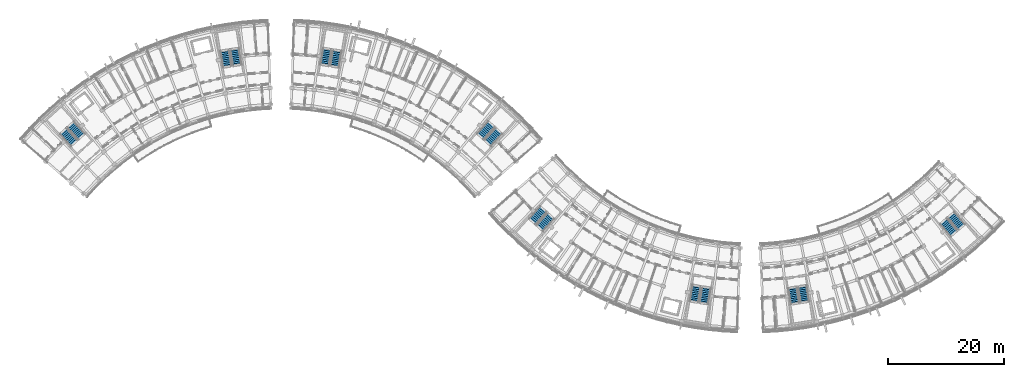
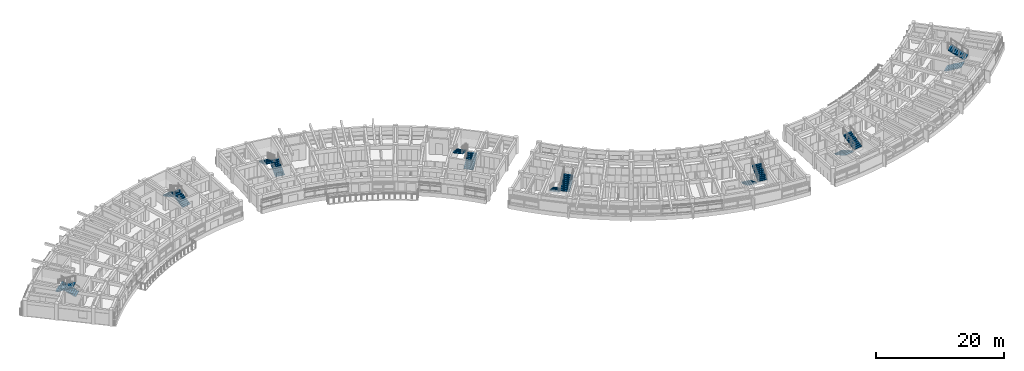
# One storey, part 40 of 56: 16 stair flights, 8 elements without a shape of their own.
"""IFC4 building model written with IfcOpenShell, lengths in metres."""

from ifc_helpers import new_model, si_unit, direction, frame, origin, place, context, subcontext, project, spatial, polyline, outline, extrude, material, type_object, element, aggregate, save


model = new_model("IFC4")

# Units and contexts
model_context = context("Model", 3, precision=1e-05, world=origin(), true_north=direction((0.0, 1.0)))
body_context = subcontext(model_context, "Body", "Model", "MODEL_VIEW")
ifc_project = project(units=[si_unit("LENGTHUNIT", "METRE"), si_unit("AREAUNIT", "SQUARE_METRE"), si_unit("VOLUMEUNIT", "CUBIC_METRE"), si_unit("PLANEANGLEUNIT", "RADIAN"), si_unit("MASSUNIT", "GRAM", prefix="KILO")], contexts=[model_context])

# Site, building, storey
site_placement = place(None, origin())
site = spatial("IfcSite", under=ifc_project, at=site_placement, CompositionType="ELEMENT")
building_placement = place(site_placement, origin())
building = spatial("IfcBuilding", under=site, at=building_placement, Name="Zimvara Arc Housing Community", CompositionType="ELEMENT")
storey_placement = place(building_placement, frame((0.0, 0.0, 17.39990234375)))
storey = spatial("IfcBuildingStorey", under=building, at=storey_placement, Name="L05", CompositionType="ELEMENT", Elevation=17.39990234375)

# Stair, stair flights
ifc_material_1 = material(Name="Concrete C35/45", Category="concrete")
stair_type_1 = type_object("IfcStairType", Name="STR-DL-310-310", PredefinedType="HALF_TURN_STAIR", material=ifc_material_1)
stair_1_placement = place(storey_placement, origin())
stair_1 = element("IfcStair", 1, at=stair_1_placement, inside=storey, type_object=stair_type_1, Name="L05 Block C Exit Stair 2", PredefinedType="HALF_TURN_STAIR")
ifc_material_2 = material(Name="Concrete C35/45", Category="concrete")
stair_flight_type_1 = type_object("IfcStairFlightType", Name="STF-DL-310-310", PredefinedType="STRAIGHT", material=ifc_material_2)
stair_flight_1_placement = place(storey_placement, frame((116.7353515625, 58.27490234375, 0.0), z_axis=(0.0, 0.0, 1.0), x_axis=(-0.160225753504, -0.987080395872, 0.0)))
stair_flight_1 = element("IfcStairFlight", 2, at=stair_flight_1_placement, type_object=stair_flight_type_1, Name="ST-C2 flight 1", NumberOfRisers=10, NumberOfTreads=9, PredefinedType="STRAIGHT", RiserHeight=0.155, TreadLength=0.31, context=body_context, shape_type="SweptSolid", body=[
    extrude(outline(polyline([(0.0, 0.0), (0.0, 0.155029296875), (0.31005859375, 0.155029296875), (0.31005859375, 0.31005859375), (0.6201171875, 0.31005859375), (0.6201171875, 0.465087890625), (0.929931640625, 0.465087890625), (0.929931640625, 0.6201171875), (1.239990234375, 0.6201171875), (1.239990234375, 0.77490234375), (1.550048828125, 0.77490234375), (1.550048828125, 0.929931640625), (1.860107421875, 0.929931640625), (1.860107421875, 1.0849609375), (2.169921875, 1.0849609375), (2.169921875, 1.239990234375), (2.47998046875, 1.239990234375), (2.47998046875, 1.39501953125), (2.7900390625, 1.39501953125), (2.7900390625, 1.550048828125), (2.7900390625, 1.227294921875), (0.335205078125, 0.0), (0.0, 0.0)])), frame((0.0, 0.780029296875, 0.0), z_axis=(0.0, -1.0, 0.0), x_axis=(1.0, 0.0, 0.0)), (0.0, 0.0, 1.0), 1.56005859375),
])
stair_flight_2_placement = place(storey_placement, frame((117.986083984375, 55.2451171875, 1.550048828125), z_axis=(0.0, 0.0, 1.0), x_axis=(0.160225753504, 0.987080395872, 0.0)))
stair_flight_2 = element("IfcStairFlight", 3, at=stair_flight_2_placement, type_object=stair_flight_type_1, Name="ST-C2 flight 2", NumberOfRisers=10, NumberOfTreads=9, PredefinedType="STRAIGHT", RiserHeight=0.155, TreadLength=0.31, context=body_context, shape_type="SweptSolid", body=[
    extrude(outline(polyline([(0.0, 0.0), (0.0, 0.155029296875), (0.31005859375, 0.155029296875), (0.31005859375, 0.31005859375), (0.6201171875, 0.31005859375), (0.6201171875, 0.465087890625), (0.929931640625, 0.465087890625), (0.929931640625, 0.6201171875), (1.239990234375, 0.6201171875), (1.239990234375, 0.77490234375), (1.550048828125, 0.77490234375), (1.550048828125, 0.929931640625), (1.860107421875, 0.929931640625), (1.860107421875, 1.0849609375), (2.169921875, 1.0849609375), (2.169921875, 1.239990234375), (2.47998046875, 1.239990234375), (2.47998046875, 1.39501953125), (2.7900390625, 1.39501953125), (2.7900390625, 1.550048828125), (2.7900390625, 1.227294921875), (0.335205078125, 0.0), (0.0, 0.0)])), frame((0.0, 0.780029296875, 0.0), z_axis=(0.0, -1.0, 0.0), x_axis=(1.0, 0.0, 0.0)), (0.0, 0.0, 1.0), 1.56005859375),
])
aggregate(stair_1, [stair_flight_1, stair_flight_2])

stair_2_placement = place(storey_placement, origin())
stair_2 = element("IfcStair", 4, at=stair_2_placement, inside=storey, type_object=stair_type_1, Name="L05 Block D Exit Stair 1", PredefinedType="HALF_TURN_STAIR")
stair_flight_3_placement = place(storey_placement, frame((133.282470703125, 57.964111328125, 0.0), z_axis=(0.0, 0.0, 1.0), x_axis=(0.155572484907, -0.987824479318, 0.0)))
stair_flight_3 = element("IfcStairFlight", 5, at=stair_flight_3_placement, type_object=stair_flight_type_1, Name="ST-D1 flight 1", NumberOfRisers=10, NumberOfTreads=9, PredefinedType="STRAIGHT", RiserHeight=0.155, TreadLength=0.31, context=body_context, shape_type="SweptSolid", body=[
    extrude(outline(polyline([(0.0, 0.0), (0.0, 0.155029296875), (0.31005859375, 0.155029296875), (0.31005859375, 0.31005859375), (0.6201171875, 0.31005859375), (0.6201171875, 0.465087890625), (0.929931640625, 0.465087890625), (0.929931640625, 0.6201171875), (1.239990234375, 0.6201171875), (1.239990234375, 0.77490234375), (1.550048828125, 0.77490234375), (1.550048828125, 0.929931640625), (1.860107421875, 0.929931640625), (1.860107421875, 1.0849609375), (2.169921875, 1.0849609375), (2.169921875, 1.239990234375), (2.47998046875, 1.239990234375), (2.47998046875, 1.39501953125), (2.7900390625, 1.39501953125), (2.7900390625, 1.550048828125), (2.7900390625, 1.227294921875), (0.335205078125, 0.0), (0.0, 0.0)])), frame((0.0, 0.780029296875, 0.0), z_axis=(0.0, -1.0, 0.0), x_axis=(1.0, 0.0, 0.0)), (0.0, 0.0, 1.0), 1.56005859375),
])
stair_flight_4_placement = place(storey_placement, frame((135.41552734375, 55.475830078125, 1.550048828125), z_axis=(0.0, 0.0, 1.0), x_axis=(-0.155572484907, 0.987824479318, 0.0)))
stair_flight_4 = element("IfcStairFlight", 6, at=stair_flight_4_placement, type_object=stair_flight_type_1, Name="ST-D1 flight 2", NumberOfRisers=10, NumberOfTreads=9, PredefinedType="STRAIGHT", RiserHeight=0.155, TreadLength=0.31, context=body_context, shape_type="SweptSolid", body=[
    extrude(outline(polyline([(0.0, 0.0), (0.0, 0.155029296875), (0.31005859375, 0.155029296875), (0.31005859375, 0.31005859375), (0.6201171875, 0.31005859375), (0.6201171875, 0.465087890625), (0.929931640625, 0.465087890625), (0.929931640625, 0.6201171875), (1.239990234375, 0.6201171875), (1.239990234375, 0.77490234375), (1.550048828125, 0.77490234375), (1.550048828125, 0.929931640625), (1.860107421875, 0.929931640625), (1.860107421875, 1.0849609375), (2.169921875, 1.0849609375), (2.169921875, 1.239990234375), (2.47998046875, 1.239990234375), (2.47998046875, 1.39501953125), (2.7900390625, 1.39501953125), (2.7900390625, 1.550048828125), (2.7900390625, 1.227294921875), (0.335205078125, 0.0), (0.0, 0.0)])), frame((0.0, 0.780029296875, 0.0), z_axis=(0.0, -1.0, 0.0), x_axis=(1.0, 0.0, 0.0)), (0.0, 0.0, 1.0), 1.56005859375),
])
aggregate(stair_2, [stair_flight_3, stair_flight_4])

ifc_material_3 = material(Name="Concrete C35/45", Category="concrete")
stair_type_2 = type_object("IfcStairType", Name="STR-DL-312-310", PredefinedType="HALF_TURN_STAIR", material=ifc_material_3)
stair_3_placement = place(storey_placement, origin())
stair_3 = element("IfcStair", 7, at=stair_3_placement, inside=storey, type_object=stair_type_2, Name="L05 Block A Exit Stair 1", PredefinedType="HALF_TURN_STAIR")
ifc_material_4 = material(Name="Concrete C35/45", Category="concrete")
stair_flight_type_2 = type_object("IfcStairFlightType", Name="STF-DL-312-310", PredefinedType="STRAIGHT", material=ifc_material_4)
stair_flight_5_placement = place(storey_placement, frame((10.590576171875, 84.0283203125, 0.0), z_axis=(0.0, 0.0, 1.0), x_axis=(-0.668871159118, 0.743378350842, 0.0)))
stair_flight_5 = element("IfcStairFlight", 8, at=stair_flight_5_placement, type_object=stair_flight_type_2, Name="ST-A1 flight 1", NumberOfRisers=10, NumberOfTreads=9, PredefinedType="STRAIGHT", RiserHeight=0.155, TreadLength=0.312, context=body_context, shape_type="SweptSolid", body=[
    extrude(outline(polyline([(0.0, 0.0), (0.0, 0.155029296875), (0.31201171875, 0.155029296875), (0.31201171875, 0.31005859375), (0.6240234375, 0.31005859375), (0.6240234375, 0.465087890625), (0.93603515625, 0.465087890625), (0.93603515625, 0.6201171875), (1.248046875, 0.6201171875), (1.248046875, 0.77490234375), (1.56005859375, 0.77490234375), (1.56005859375, 0.929931640625), (1.8720703125, 0.929931640625), (1.8720703125, 1.0849609375), (2.18408203125, 1.0849609375), (2.18408203125, 1.239990234375), (2.49609375, 1.239990234375), (2.49609375, 1.39501953125), (2.80810546875, 1.39501953125), (2.80810546875, 1.550048828125), (2.80810546875, 1.2275390625), (0.3369140625, 0.0), (0.0, 0.0)])), frame((0.0, 0.780029296875, 0.0), z_axis=(0.0, -1.0, 0.0), x_axis=(1.0, 0.0, 0.0)), (0.0, 0.0, 1.0), 1.56005859375),
])
stair_flight_6_placement = place(storey_placement, frame((7.43359375, 84.965087890625, 1.550048828125), z_axis=(0.0, 0.0, 1.0), x_axis=(0.668871159118, -0.743378350842, 0.0)))
stair_flight_6 = element("IfcStairFlight", 9, at=stair_flight_6_placement, type_object=stair_flight_type_2, Name="ST-A1 flight 2", NumberOfRisers=10, NumberOfTreads=9, PredefinedType="STRAIGHT", RiserHeight=0.155, TreadLength=0.312, context=body_context, shape_type="SweptSolid", body=[
    extrude(outline(polyline([(0.0, 0.0), (0.0, 0.155029296875), (0.31201171875, 0.155029296875), (0.31201171875, 0.31005859375), (0.6240234375, 0.31005859375), (0.6240234375, 0.465087890625), (0.93603515625, 0.465087890625), (0.93603515625, 0.6201171875), (1.248046875, 0.6201171875), (1.248046875, 0.77490234375), (1.56005859375, 0.77490234375), (1.56005859375, 0.929931640625), (1.8720703125, 0.929931640625), (1.8720703125, 1.0849609375), (2.18408203125, 1.0849609375), (2.18408203125, 1.239990234375), (2.49609375, 1.239990234375), (2.49609375, 1.39501953125), (2.80810546875, 1.39501953125), (2.80810546875, 1.550048828125), (2.80810546875, 1.2275390625), (0.3369140625, 0.0), (0.0, 0.0)])), frame((0.0, 0.780029296875, 0.0), z_axis=(0.0, -1.0, 0.0), x_axis=(1.0, 0.0, 0.0)), (0.0, 0.0, 1.0), 1.56005859375),
])
aggregate(stair_3, [stair_flight_5, stair_flight_6])

stair_4_placement = place(storey_placement, origin())
stair_4 = element("IfcStair", 10, at=stair_4_placement, inside=storey, type_object=stair_type_2, Name="L05 Block D Exit Stair 2", PredefinedType="HALF_TURN_STAIR")
stair_flight_7_placement = place(storey_placement, frame((159.32177734375, 69.427001953125, 0.0), z_axis=(0.0, 0.0, 1.0), x_axis=(0.648784221735, -0.760972426325, 0.0)))
stair_flight_7 = element("IfcStairFlight", 11, at=stair_flight_7_placement, type_object=stair_flight_type_2, Name="ST-D2 flight 1", NumberOfRisers=10, NumberOfTreads=9, PredefinedType="STRAIGHT", RiserHeight=0.155, TreadLength=0.312, context=body_context, shape_type="SweptSolid", body=[
    extrude(outline(polyline([(0.0, 0.0), (0.0, 0.155029296875), (0.31201171875, 0.155029296875), (0.31201171875, 0.31005859375), (0.6240234375, 0.31005859375), (0.6240234375, 0.465087890625), (0.93603515625, 0.465087890625), (0.93603515625, 0.6201171875), (1.248046875, 0.6201171875), (1.248046875, 0.77490234375), (1.56005859375, 0.77490234375), (1.56005859375, 0.929931640625), (1.8720703125, 0.929931640625), (1.8720703125, 1.0849609375), (2.18408203125, 1.0849609375), (2.18408203125, 1.239990234375), (2.49609375, 1.239990234375), (2.49609375, 1.39501953125), (2.80810546875, 1.39501953125), (2.80810546875, 1.550048828125), (2.80810546875, 1.2275390625), (0.3369140625, 0.0), (0.0, 0.0)])), frame((0.0, 0.780029296875, 0.0), z_axis=(0.0, -1.0, 0.0), x_axis=(1.0, 0.0, 0.0)), (0.0, 0.0, 1.0), 1.56005859375),
])
stair_flight_8_placement = place(storey_placement, frame((162.45263671875, 68.40625, 1.550048828125), z_axis=(0.0, 0.0, 1.0), x_axis=(-0.648784221735, 0.760972426325, 0.0)))
stair_flight_8 = element("IfcStairFlight", 12, at=stair_flight_8_placement, type_object=stair_flight_type_2, Name="ST-D2 flight 2", NumberOfRisers=10, NumberOfTreads=9, PredefinedType="STRAIGHT", RiserHeight=0.155, TreadLength=0.312, context=body_context, shape_type="SweptSolid", body=[
    extrude(outline(polyline([(0.0, 0.0), (0.0, 0.155029296875), (0.31201171875, 0.155029296875), (0.31201171875, 0.31005859375), (0.6240234375, 0.31005859375), (0.6240234375, 0.465087890625), (0.93603515625, 0.465087890625), (0.93603515625, 0.6201171875), (1.248046875, 0.6201171875), (1.248046875, 0.77490234375), (1.56005859375, 0.77490234375), (1.56005859375, 0.929931640625), (1.8720703125, 0.929931640625), (1.8720703125, 1.0849609375), (2.18408203125, 1.0849609375), (2.18408203125, 1.239990234375), (2.49609375, 1.239990234375), (2.49609375, 1.39501953125), (2.80810546875, 1.39501953125), (2.80810546875, 1.550048828125), (2.80810546875, 1.2275390625), (0.3369140625, 0.0), (0.0, 0.0)])), frame((0.0, 0.780029296875, 0.0), z_axis=(0.0, -1.0, 0.0), x_axis=(1.0, 0.0, 0.0)), (0.0, 0.0, 1.0), 1.56005859375),
])
aggregate(stair_4, [stair_flight_7, stair_flight_8])

ifc_material_5 = material(Name="Concrete C35/45", Category="concrete")
stair_type_3 = type_object("IfcStairType", Name="STR-DL-315-310", PredefinedType="HALF_TURN_STAIR", material=ifc_material_5)
stair_5_placement = place(storey_placement, origin())
stair_5 = element("IfcStair", 13, at=stair_5_placement, inside=storey, type_object=stair_type_3, Name="L05 Block A Exit Stair 2", PredefinedType="HALF_TURN_STAIR")
ifc_material_6 = material(Name="Concrete C35/45", Category="concrete")
stair_flight_type_3 = type_object("IfcStairFlightType", Name="STF-DL-315-310", PredefinedType="STRAIGHT", material=ifc_material_6)
stair_flight_9_placement = place(storey_placement, frame((37.453125, 96.36083984375, 0.0), z_axis=(0.0, 0.0, 1.0), x_axis=(-0.160225753504, 0.987080395872, 0.0)))
stair_flight_9 = element("IfcStairFlight", 14, at=stair_flight_9_placement, type_object=stair_flight_type_3, Name="ST-A2 flight 1", NumberOfRisers=10, NumberOfTreads=9, PredefinedType="STRAIGHT", RiserHeight=0.155, TreadLength=0.315, context=body_context, shape_type="SweptSolid", body=[
    extrude(outline(polyline([(0.0, 0.0), (0.0, 0.155029296875), (0.31494140625, 0.155029296875), (0.31494140625, 0.31005859375), (0.6298828125, 0.31005859375), (0.6298828125, 0.465087890625), (0.945068359375, 0.465087890625), (0.945068359375, 0.6201171875), (1.260009765625, 0.6201171875), (1.260009765625, 0.77490234375), (1.574951171875, 0.77490234375), (1.574951171875, 0.929931640625), (1.889892578125, 0.929931640625), (1.889892578125, 1.0849609375), (2.205078125, 1.0849609375), (2.205078125, 1.239990234375), (2.52001953125, 1.239990234375), (2.52001953125, 1.39501953125), (2.8349609375, 1.39501953125), (2.8349609375, 1.550048828125), (2.8349609375, 1.22802734375), (0.339599609375, 0.0), (0.0, 0.0)])), frame((0.0, 0.780029296875, 0.0), z_axis=(0.0, -1.0, 0.0), x_axis=(1.0, 0.0, 0.0)), (0.0, 0.0, 1.0), 1.56005859375),
])
stair_flight_10_placement = place(storey_placement, frame((35.301025390625, 98.883544921875, 1.550048828125), z_axis=(0.0, 0.0, 1.0), x_axis=(0.160225753504, -0.987080395872, 0.0)))
stair_flight_10 = element("IfcStairFlight", 15, at=stair_flight_10_placement, type_object=stair_flight_type_3, Name="ST-A2 flight 2", NumberOfRisers=10, NumberOfTreads=9, PredefinedType="STRAIGHT", RiserHeight=0.155, TreadLength=0.315, context=body_context, shape_type="SweptSolid", body=[
    extrude(outline(polyline([(0.0, 0.0), (0.0, 0.155029296875), (0.31494140625, 0.155029296875), (0.31494140625, 0.31005859375), (0.6298828125, 0.31005859375), (0.6298828125, 0.465087890625), (0.945068359375, 0.465087890625), (0.945068359375, 0.6201171875), (1.260009765625, 0.6201171875), (1.260009765625, 0.77490234375), (1.574951171875, 0.77490234375), (1.574951171875, 0.929931640625), (1.889892578125, 0.929931640625), (1.889892578125, 1.0849609375), (2.205078125, 1.0849609375), (2.205078125, 1.239990234375), (2.52001953125, 1.239990234375), (2.52001953125, 1.39501953125), (2.8349609375, 1.39501953125), (2.8349609375, 1.550048828125), (2.8349609375, 1.22802734375), (0.339599609375, 0.0), (0.0, 0.0)])), frame((0.0, 0.780029296875, 0.0), z_axis=(0.0, -1.0, 0.0), x_axis=(1.0, 0.0, 0.0)), (0.0, 0.0, 1.0), 1.56005859375),
])
aggregate(stair_5, [stair_flight_9, stair_flight_10])

stair_6_placement = place(storey_placement, origin())
stair_6 = element("IfcStair", 16, at=stair_6_placement, inside=storey, type_object=stair_type_3, Name="L05 Block B Exit Stair 1", PredefinedType="HALF_TURN_STAIR")
stair_flight_11_placement = place(storey_placement, frame((54.24462890625, 96.085205078125, 0.0), z_axis=(0.0, 0.0, 1.0), x_axis=(0.160225753504, 0.987080395872, 0.0)))
stair_flight_11 = element("IfcStairFlight", 17, at=stair_flight_11_placement, type_object=stair_flight_type_3, Name="ST-B1 flight 1", NumberOfRisers=10, NumberOfTreads=9, PredefinedType="STRAIGHT", RiserHeight=0.155, TreadLength=0.315, context=body_context, shape_type="SweptSolid", body=[
    extrude(outline(polyline([(0.0, 0.0), (0.0, 0.155029296875), (0.31494140625, 0.155029296875), (0.31494140625, 0.31005859375), (0.6298828125, 0.31005859375), (0.6298828125, 0.465087890625), (0.945068359375, 0.465087890625), (0.945068359375, 0.6201171875), (1.260009765625, 0.6201171875), (1.260009765625, 0.77490234375), (1.574951171875, 0.77490234375), (1.574951171875, 0.929931640625), (1.889892578125, 0.929931640625), (1.889892578125, 1.0849609375), (2.205078125, 1.0849609375), (2.205078125, 1.239990234375), (2.52001953125, 1.239990234375), (2.52001953125, 1.39501953125), (2.8349609375, 1.39501953125), (2.8349609375, 1.550048828125), (2.8349609375, 1.22802734375), (0.339599609375, 0.0), (0.0, 0.0)])), frame((0.0, 0.780029296875, 0.0), z_axis=(0.0, -1.0, 0.0), x_axis=(1.0, 0.0, 0.0)), (0.0, 0.0, 1.0), 1.56005859375),
])
stair_flight_12_placement = place(storey_placement, frame((53.001220703125, 99.1591796875, 1.550048828125), z_axis=(0.0, 0.0, 1.0), x_axis=(-0.160225753504, -0.987080395872, 0.0)))
stair_flight_12 = element("IfcStairFlight", 18, at=stair_flight_12_placement, type_object=stair_flight_type_3, Name="ST-B1 flight 2", NumberOfRisers=10, NumberOfTreads=9, PredefinedType="STRAIGHT", RiserHeight=0.155, TreadLength=0.315, context=body_context, shape_type="SweptSolid", body=[
    extrude(outline(polyline([(0.0, 0.0), (0.0, 0.155029296875), (0.31494140625, 0.155029296875), (0.31494140625, 0.31005859375), (0.6298828125, 0.31005859375), (0.6298828125, 0.465087890625), (0.945068359375, 0.465087890625), (0.945068359375, 0.6201171875), (1.260009765625, 0.6201171875), (1.260009765625, 0.77490234375), (1.574951171875, 0.77490234375), (1.574951171875, 0.929931640625), (1.889892578125, 0.929931640625), (1.889892578125, 1.0849609375), (2.205078125, 1.0849609375), (2.205078125, 1.239990234375), (2.52001953125, 1.239990234375), (2.52001953125, 1.39501953125), (2.8349609375, 1.39501953125), (2.8349609375, 1.550048828125), (2.8349609375, 1.22802734375), (0.339599609375, 0.0), (0.0, 0.0)])), frame((0.0, 0.780029296875, 0.0), z_axis=(0.0, -1.0, 0.0), x_axis=(1.0, 0.0, 0.0)), (0.0, 0.0, 1.0), 1.56005859375),
])
aggregate(stair_6, [stair_flight_11, stair_flight_12])

ifc_material_7 = material(Name="Concrete C35/45", Category="concrete")
stair_type_4 = type_object("IfcStairType", Name="STR-DL-318-310", PredefinedType="HALF_TURN_STAIR", material=ifc_material_7)
stair_7_placement = place(storey_placement, origin())
stair_7 = element("IfcStair", 19, at=stair_7_placement, inside=storey, type_object=stair_type_4, Name="L05 Block B Exit Stair 2", PredefinedType="HALF_TURN_STAIR")
ifc_material_8 = material(Name="Concrete C35/45", Category="concrete")
stair_flight_type_4 = type_object("IfcStairFlightType", Name="STF-DL-318-310", PredefinedType="STRAIGHT", material=ifc_material_8)
stair_flight_13_placement = place(storey_placement, frame((80.688232421875, 82.877685546875, 0.0), z_axis=(0.0, 0.0, 1.0), x_axis=(0.668871159118, 0.743378350842, 0.0)))
stair_flight_13 = element("IfcStairFlight", 20, at=stair_flight_13_placement, type_object=stair_flight_type_4, Name="ST-B2 flight 1", NumberOfRisers=10, NumberOfTreads=9, PredefinedType="STRAIGHT", RiserHeight=0.155, TreadLength=0.318, context=body_context, shape_type="SweptSolid", body=[
    extrude(outline(polyline([(0.0, 0.0), (0.0, 0.155029296875), (0.318115234375, 0.155029296875), (0.318115234375, 0.31005859375), (0.635986328125, 0.31005859375), (0.635986328125, 0.465087890625), (0.9541015625, 0.465087890625), (0.9541015625, 0.6201171875), (1.27197265625, 0.6201171875), (1.27197265625, 0.77490234375), (1.590087890625, 0.77490234375), (1.590087890625, 0.929931640625), (1.907958984375, 0.929931640625), (1.907958984375, 1.0849609375), (2.22607421875, 1.0849609375), (2.22607421875, 1.239990234375), (2.5439453125, 1.239990234375), (2.5439453125, 1.39501953125), (2.862060546875, 1.39501953125), (2.862060546875, 1.550048828125), (2.862060546875, 1.228271484375), (0.342041015625, 0.0), (0.0, 0.0)])), frame((0.0, 0.780029296875, 0.0), z_axis=(0.0, -1.0, 0.0), x_axis=(1.0, 0.0, 0.0)), (0.0, 0.0, 1.0), 1.56005859375),
])
stair_flight_14_placement = place(storey_placement, frame((81.323974609375, 86.15576171875, 1.550048828125), z_axis=(0.0, 0.0, 1.0), x_axis=(-0.668871159118, -0.743378350842, 0.0)))
stair_flight_14 = element("IfcStairFlight", 21, at=stair_flight_14_placement, type_object=stair_flight_type_4, Name="ST-B2 flight 2", NumberOfRisers=10, NumberOfTreads=9, PredefinedType="STRAIGHT", RiserHeight=0.155, TreadLength=0.318, context=body_context, shape_type="SweptSolid", body=[
    extrude(outline(polyline([(0.0, 0.0), (0.0, 0.155029296875), (0.318115234375, 0.155029296875), (0.318115234375, 0.31005859375), (0.635986328125, 0.31005859375), (0.635986328125, 0.465087890625), (0.9541015625, 0.465087890625), (0.9541015625, 0.6201171875), (1.27197265625, 0.6201171875), (1.27197265625, 0.77490234375), (1.590087890625, 0.77490234375), (1.590087890625, 0.929931640625), (1.907958984375, 0.929931640625), (1.907958984375, 1.0849609375), (2.22607421875, 1.0849609375), (2.22607421875, 1.239990234375), (2.5439453125, 1.239990234375), (2.5439453125, 1.39501953125), (2.862060546875, 1.39501953125), (2.862060546875, 1.550048828125), (2.862060546875, 1.228271484375), (0.342041015625, 0.0), (0.0, 0.0)])), frame((0.0, 0.780029296875, 0.0), z_axis=(0.0, -1.0, 0.0), x_axis=(1.0, 0.0, 0.0)), (0.0, 0.0, 1.0), 1.56005859375),
])
aggregate(stair_7, [stair_flight_13, stair_flight_14])

stair_8_placement = place(storey_placement, origin())
stair_8 = element("IfcStair", 22, at=stair_8_placement, inside=storey, type_object=stair_type_4, Name="L05 Block C Exit Stair 1", PredefinedType="HALF_TURN_STAIR")
stair_flight_15_placement = place(storey_placement, frame((90.291748046875, 71.482177734375, 0.0), z_axis=(0.0, 0.0, 1.0), x_axis=(-0.668871159118, -0.743378350842, 0.0)))
stair_flight_15 = element("IfcStairFlight", 23, at=stair_flight_15_placement, type_object=stair_flight_type_4, Name="ST-C1 flight 1", NumberOfRisers=10, NumberOfTreads=9, PredefinedType="STRAIGHT", RiserHeight=0.155, TreadLength=0.318, context=body_context, shape_type="SweptSolid", body=[
    extrude(outline(polyline([(0.0, 0.0), (0.0, 0.155029296875), (0.318115234375, 0.155029296875), (0.318115234375, 0.31005859375), (0.635986328125, 0.31005859375), (0.635986328125, 0.465087890625), (0.9541015625, 0.465087890625), (0.9541015625, 0.6201171875), (1.27197265625, 0.6201171875), (1.27197265625, 0.77490234375), (1.590087890625, 0.77490234375), (1.590087890625, 0.929931640625), (1.907958984375, 0.929931640625), (1.907958984375, 1.0849609375), (2.22607421875, 1.0849609375), (2.22607421875, 1.239990234375), (2.5439453125, 1.239990234375), (2.5439453125, 1.39501953125), (2.862060546875, 1.39501953125), (2.862060546875, 1.550048828125), (2.862060546875, 1.228271484375), (0.342041015625, 0.0), (0.0, 0.0)])), frame((0.0, 0.780029296875, 0.0), z_axis=(0.0, -1.0, 0.0), x_axis=(1.0, 0.0, 0.0)), (0.0, 0.0, 1.0), 1.56005859375),
])
stair_flight_16_placement = place(storey_placement, frame((89.65625, 68.2041015625, 1.550048828125), z_axis=(0.0, 0.0, 1.0), x_axis=(0.668871159118, 0.743378350842, 0.0)))
stair_flight_16 = element("IfcStairFlight", 24, at=stair_flight_16_placement, type_object=stair_flight_type_4, Name="ST-C1 flight 2", NumberOfRisers=10, NumberOfTreads=9, PredefinedType="STRAIGHT", RiserHeight=0.155, TreadLength=0.318, context=body_context, shape_type="SweptSolid", body=[
    extrude(outline(polyline([(0.0, 0.0), (0.0, 0.155029296875), (0.318115234375, 0.155029296875), (0.318115234375, 0.31005859375), (0.635986328125, 0.31005859375), (0.635986328125, 0.465087890625), (0.9541015625, 0.465087890625), (0.9541015625, 0.6201171875), (1.27197265625, 0.6201171875), (1.27197265625, 0.77490234375), (1.590087890625, 0.77490234375), (1.590087890625, 0.929931640625), (1.907958984375, 0.929931640625), (1.907958984375, 1.0849609375), (2.22607421875, 1.0849609375), (2.22607421875, 1.239990234375), (2.5439453125, 1.239990234375), (2.5439453125, 1.39501953125), (2.862060546875, 1.39501953125), (2.862060546875, 1.550048828125), (2.862060546875, 1.228271484375), (0.342041015625, 0.0), (0.0, 0.0)])), frame((0.0, 0.780029296875, 0.0), z_axis=(0.0, -1.0, 0.0), x_axis=(1.0, 0.0, 0.0)), (0.0, 0.0, 1.0), 1.56005859375),
])
aggregate(stair_8, [stair_flight_15, stair_flight_16])

save(model, "model.ifc")
